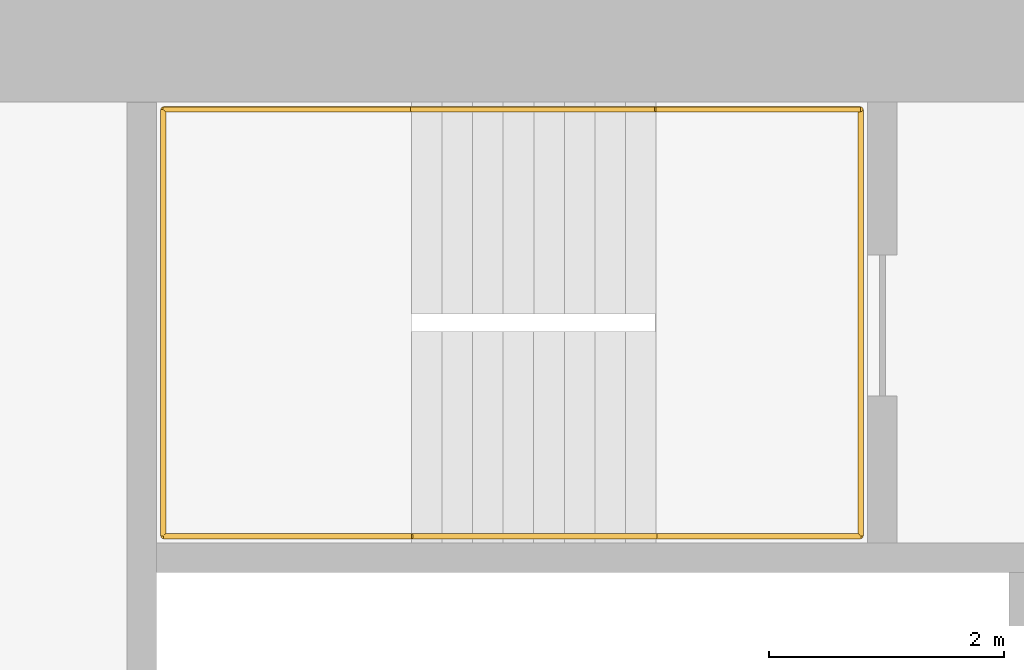
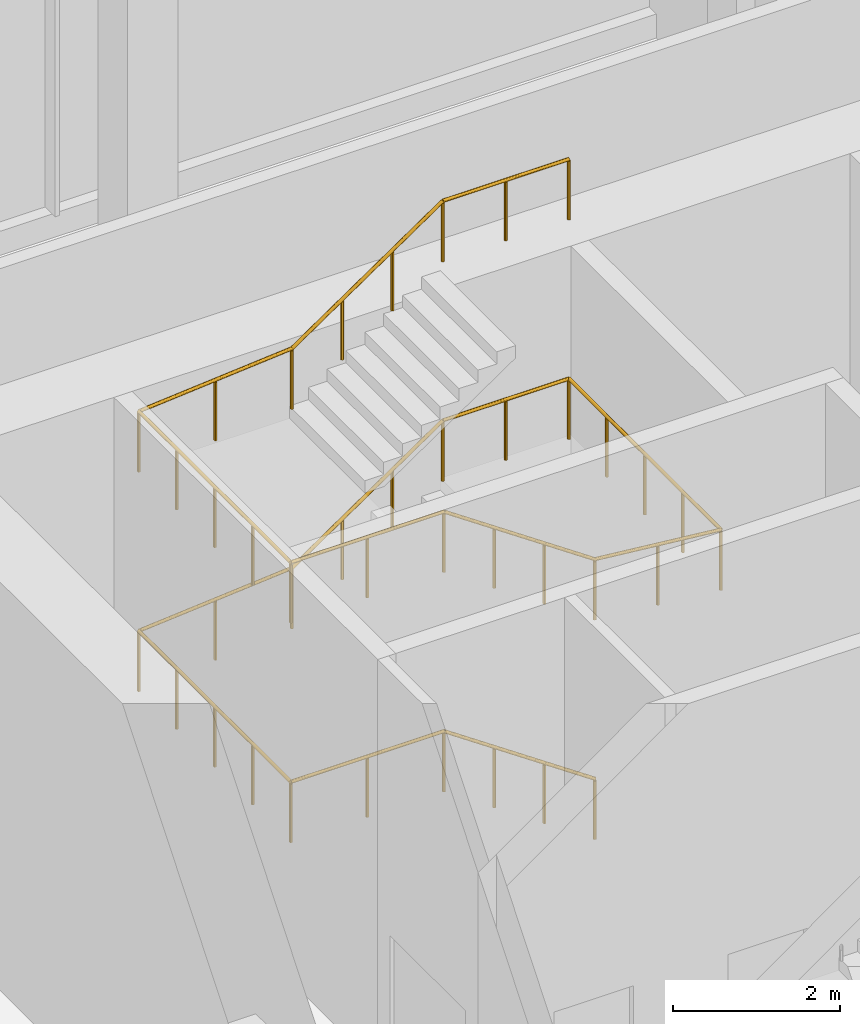
# One storey, part 35 of 43: 1 railing.
"""IFC4 building model written with IfcOpenShell, lengths in metres."""

from ifc_helpers import new_model, si_unit, direction, frame, origin, origin_2d, place, context, subcontext, project, spatial, circle, extrude, material, type_object, element, save


model = new_model("IFC4")

# Units and contexts
model_context = context("Model", 3, precision=1e-05, world=origin(), true_north=direction((0.0, 1.0)))
body_context = subcontext(model_context, "Body", "Model", "MODEL_VIEW")
ifc_project = project(units=[si_unit("LENGTHUNIT", "METRE"), si_unit("AREAUNIT", "SQUARE_METRE"), si_unit("VOLUMEUNIT", "CUBIC_METRE"), si_unit("PLANEANGLEUNIT", "RADIAN"), si_unit("MASSUNIT", "GRAM", prefix="KILO")], contexts=[model_context])

# Site, building, storey
site_placement = place(None, origin())
site = spatial("IfcSite", under=ifc_project, at=site_placement, CompositionType="ELEMENT")
building_placement = place(site_placement, origin())
building = spatial("IfcBuilding", under=site, at=building_placement, Name="Hakoniwa Tower and Hamabe Station Hall", CompositionType="ELEMENT")
storey_placement = place(building_placement, frame((0.0, 0.0, 124.60009765625)))
storey = spatial("IfcBuildingStorey", under=building, at=storey_placement, Name="L35", CompositionType="ELEMENT", Elevation=124.60009765625)

# Railing
ifc_material = material(Name="Stainless steel SUS304", Category="steel")
railing_type = type_object("IfcRailingType", Name="STAIR HANDRAIL 900", PredefinedType="HANDRAIL", material=ifc_material)
railing_placement = place(storey_placement, frame((24.39990234375, 3.81005859375, 0.177734375)))
element("IfcRailing", 1, at=railing_placement, inside=storey, type_object=railing_type, Name="Handrail ST-3 L35 1", PredefinedType="HANDRAIL", context=body_context, shape_type="SweptSolid", body=[
    extrude(circle(Radius=0.02392578125, at=origin_2d()), frame((0.0, 0.0, 0.8759765625), z_axis=(-0.825478349766, 0.0, 0.564433781827), x_axis=(0.0, -1.0, 0.0)), (0.0, 0.0, 1.0), 2.51953125),
    extrude(circle(Radius=0.02392578125, at=origin_2d()), frame((-2.079833984375, 0.0, 2.2978515625), z_axis=(-1.0, 0.0, 0.0), x_axis=(0.0, -1.0, 0.0)), (0.0, 0.0, 1.0), 2.110107421875),
    extrude(circle(Radius=0.02392578125, at=origin_2d()), frame((-4.18994140625, 0.0, 2.2978515625), z_axis=(0.0, 1.0, 0.0), x_axis=(-1.0, 0.0, 0.0)), (0.0, 0.0, 1.0), 3.6298828125),
    extrude(circle(Radius=0.02392578125, at=origin_2d()), frame((-4.18994140625, 3.6298828125, 2.2978515625), z_axis=(0.996471417081, 0.0, 0.083932800143), x_axis=(0.0, 1.0, 0.0)), (0.0, 0.0, 1.0), 2.11767578125),
    extrude(circle(Radius=0.02392578125, at=origin_2d()), frame((-2.079833984375, 3.6298828125, 2.4755859375), z_axis=(0.825433201882, 0.0, 0.564499804456), x_axis=(0.0, 1.0, 0.0)), (0.0, 0.0, 1.0), 2.519775390625),
    extrude(circle(Radius=0.02392578125, at=origin_2d()), frame((0.0, 3.6298828125, 3.89794921875), z_axis=(1.0, 0.0, 0.0), x_axis=(0.0, 1.0, 0.0)), (0.0, 0.0, 1.0), 1.739990234375),
    extrude(circle(Radius=0.02392578125, at=origin_2d()), frame((1.739990234375, 3.6298828125, 3.89794921875), z_axis=(0.0, -1.0, 0.0), x_axis=(1.0, 0.0, 0.0)), (0.0, 0.0, 1.0), 3.6298828125),
    extrude(circle(Radius=0.02392578125, at=origin_2d()), frame((1.739990234375, 0.0, 3.89794921875), z_axis=(-0.994823492686, 0.0, 0.10161800234), x_axis=(0.0, -1.0, 0.0)), (0.0, 0.0, 1.0), 1.7490234375),
    extrude(circle(Radius=0.02392578125, at=origin_2d()), frame((0.0, 0.0, 4.07568359375), z_axis=(-0.825478349766, 0.0, 0.564433781827), x_axis=(0.0, -1.0, 0.0)), (0.0, 0.0, 1.0), 2.51953125),
    extrude(circle(Radius=0.02392578125, at=origin_2d()), frame((-2.079833984375, 0.0, 5.498046875), z_axis=(-1.0, 0.0, 0.0), x_axis=(0.0, -1.0, 0.0)), (0.0, 0.0, 1.0), 2.110107421875),
    extrude(circle(Radius=0.02392578125, at=origin_2d()), frame((-4.18994140625, 0.0, 5.498046875), z_axis=(0.0, 1.0, 0.0), x_axis=(-1.0, 0.0, 0.0)), (0.0, 0.0, 1.0), 3.6298828125),
    extrude(circle(Radius=0.02392578125, at=origin_2d()), frame((-4.18994140625, 3.6298828125, 5.498046875), z_axis=(0.996461767938, 0.0, 0.084047278587), x_axis=(0.0, 1.0, 0.0)), (0.0, 0.0, 1.0), 2.11767578125),
    extrude(circle(Radius=0.02392578125, at=origin_2d()), frame((-2.079833984375, 3.6298828125, 5.67578125), z_axis=(0.825478349766, 0.0, 0.564433781827), x_axis=(0.0, 1.0, 0.0)), (0.0, 0.0, 1.0), 2.51953125),
    extrude(circle(Radius=0.02392578125, at=origin_2d()), frame((0.0, 3.6298828125, 7.09814453125), z_axis=(1.0, 0.0, 0.0), x_axis=(0.0, 1.0, 0.0)), (0.0, 0.0, 1.0), 1.739990234375),
    extrude(circle(Radius=0.02099609375, at=origin_2d()), origin(), (0.0, 0.0, 1.0), 0.851806640625),
    extrude(circle(Radius=0.02099609375, at=origin_2d()), frame((-0.693359375, 0.0, 0.47412109375)), (0.0, 0.0, 1.0), 0.851806640625),
    extrude(circle(Radius=0.02099609375, at=origin_2d()), frame((-1.386474609375, 0.0, 0.947998046875)), (0.0, 0.0, 1.0), 0.851806640625),
    extrude(circle(Radius=0.02099609375, at=origin_2d()), frame((-2.079833984375, 0.0, 1.422119140625)), (0.0, 0.0, 1.0), 0.851806640625),
    extrude(circle(Radius=0.02099609375, at=origin_2d()), frame((-3.134765625, 0.0, 1.422119140625)), (0.0, 0.0, 1.0), 0.851806640625),
    extrude(circle(Radius=0.02099609375, at=origin_2d()), frame((-4.18994140625, 0.0, 1.422119140625)), (0.0, 0.0, 1.0), 0.851806640625),
    extrude(circle(Radius=0.02099609375, at=origin_2d()), frame((-4.18994140625, 0.907470703125, 1.422119140625)), (0.0, 0.0, 1.0), 0.851806640625),
    extrude(circle(Radius=0.02099609375, at=origin_2d()), frame((-4.18994140625, 1.81494140625, 1.422119140625)), (0.0, 0.0, 1.0), 0.851806640625),
    extrude(circle(Radius=0.02099609375, at=origin_2d()), frame((-4.18994140625, 2.722412109375, 1.422119140625)), (0.0, 0.0, 1.0), 0.851806640625),
    extrude(circle(Radius=0.02099609375, at=origin_2d()), frame((-4.18994140625, 3.6298828125, 1.422119140625)), (0.0, 0.0, 1.0), 0.851806640625),
    extrude(circle(Radius=0.02099609375, at=origin_2d()), frame((-3.134765625, 3.6298828125, 1.510986328125)), (0.0, 0.0, 1.0), 0.851806640625),
    extrude(circle(Radius=0.02099609375, at=origin_2d()), frame((-2.079833984375, 3.6298828125, 1.599853515625)), (0.0, 0.0, 1.0), 0.851806640625),
    extrude(circle(Radius=0.02099609375, at=origin_2d()), frame((-1.386474609375, 3.6298828125, 2.073974609375)), (0.0, 0.0, 1.0), 0.851806640625),
    extrude(circle(Radius=0.02099609375, at=origin_2d()), frame((-0.693359375, 3.6298828125, 2.548095703125)), (0.0, 0.0, 1.0), 0.851806640625),
    extrude(circle(Radius=0.02099609375, at=origin_2d()), frame((0.0, 3.6298828125, 3.022216796875)), (0.0, 0.0, 1.0), 0.851806640625),
    extrude(circle(Radius=0.02099609375, at=origin_2d()), frame((0.8701171875, 3.6298828125, 3.022216796875)), (0.0, 0.0, 1.0), 0.851806640625),
    extrude(circle(Radius=0.02099609375, at=origin_2d()), frame((1.739990234375, 3.6298828125, 3.022216796875)), (0.0, 0.0, 1.0), 0.851806640625),
    extrude(circle(Radius=0.02099609375, at=origin_2d()), frame((1.739990234375, 2.722412109375, 3.022216796875)), (0.0, 0.0, 1.0), 0.851806640625),
    extrude(circle(Radius=0.02099609375, at=origin_2d()), frame((1.739990234375, 1.81494140625, 3.022216796875)), (0.0, 0.0, 1.0), 0.851806640625),
    extrude(circle(Radius=0.02099609375, at=origin_2d()), frame((1.739990234375, 0.907470703125, 3.022216796875)), (0.0, 0.0, 1.0), 0.851806640625),
    extrude(circle(Radius=0.02099609375, at=origin_2d()), frame((1.739990234375, 0.0, 3.022216796875)), (0.0, 0.0, 1.0), 0.851806640625),
    extrude(circle(Radius=0.02099609375, at=origin_2d()), frame((0.8701171875, 0.0, 3.111083984375)), (0.0, 0.0, 1.0), 0.851806640625),
    extrude(circle(Radius=0.02099609375, at=origin_2d()), frame((0.0, 0.0, 3.199951171875)), (0.0, 0.0, 1.0), 0.851806640625),
    extrude(circle(Radius=0.02099609375, at=origin_2d()), frame((-0.693359375, 0.0, 3.674072265625)), (0.0, 0.0, 1.0), 0.851806640625),
    extrude(circle(Radius=0.02099609375, at=origin_2d()), frame((-1.386474609375, 0.0, 4.14794921875)), (0.0, 0.0, 1.0), 0.851806640625),
    extrude(circle(Radius=0.02099609375, at=origin_2d()), frame((-2.079833984375, 0.0, 4.6220703125)), (0.0, 0.0, 1.0), 0.851806640625),
    extrude(circle(Radius=0.02099609375, at=origin_2d()), frame((-3.134765625, 0.0, 4.6220703125)), (0.0, 0.0, 1.0), 0.851806640625),
    extrude(circle(Radius=0.02099609375, at=origin_2d()), frame((-4.18994140625, 0.0, 4.6220703125)), (0.0, 0.0, 1.0), 0.851806640625),
    extrude(circle(Radius=0.02099609375, at=origin_2d()), frame((-4.18994140625, 0.907470703125, 4.6220703125)), (0.0, 0.0, 1.0), 0.851806640625),
    extrude(circle(Radius=0.02099609375, at=origin_2d()), frame((-4.18994140625, 1.81494140625, 4.6220703125)), (0.0, 0.0, 1.0), 0.851806640625),
    extrude(circle(Radius=0.02099609375, at=origin_2d()), frame((-4.18994140625, 2.722412109375, 4.6220703125)), (0.0, 0.0, 1.0), 0.851806640625),
    extrude(circle(Radius=0.02099609375, at=origin_2d()), frame((-4.18994140625, 3.6298828125, 4.6220703125)), (0.0, 0.0, 1.0), 0.851806640625),
    extrude(circle(Radius=0.02099609375, at=origin_2d()), frame((-3.134765625, 3.6298828125, 4.7109375)), (0.0, 0.0, 1.0), 0.851806640625),
    extrude(circle(Radius=0.02099609375, at=origin_2d()), frame((-2.079833984375, 3.6298828125, 4.800048828125)), (0.0, 0.0, 1.0), 0.851806640625),
    extrude(circle(Radius=0.02099609375, at=origin_2d()), frame((-1.386474609375, 3.6298828125, 5.274169921875)), (0.0, 0.0, 1.0), 0.851806640625),
    extrude(circle(Radius=0.02099609375, at=origin_2d()), frame((-0.693359375, 3.6298828125, 5.748046875)), (0.0, 0.0, 1.0), 0.851806640625),
    extrude(circle(Radius=0.02099609375, at=origin_2d()), frame((0.0, 3.6298828125, 6.22216796875)), (0.0, 0.0, 1.0), 0.851806640625),
    extrude(circle(Radius=0.02099609375, at=origin_2d()), frame((0.8701171875, 3.6298828125, 6.22216796875)), (0.0, 0.0, 1.0), 0.851806640625),
    extrude(circle(Radius=0.02099609375, at=origin_2d()), frame((1.739990234375, 3.6298828125, 6.22216796875)), (0.0, 0.0, 1.0), 0.851806640625),
])

save(model, "model.ifc")
